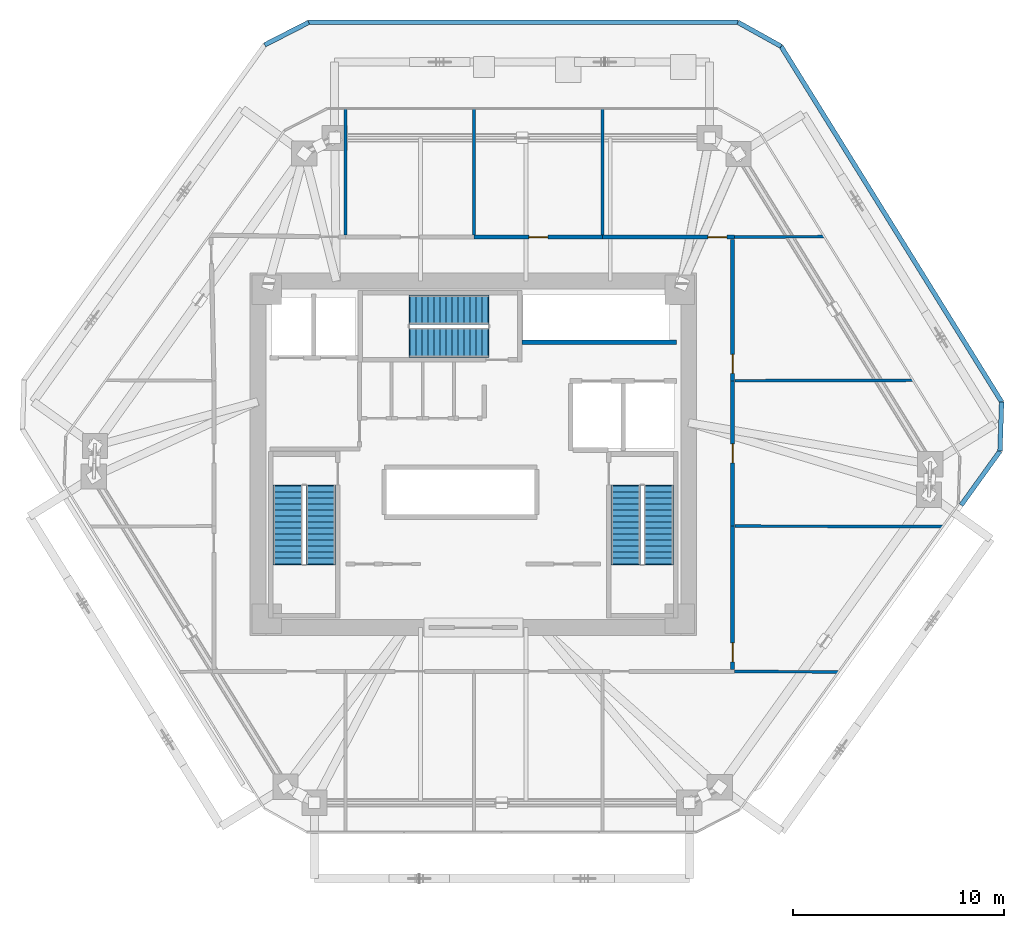
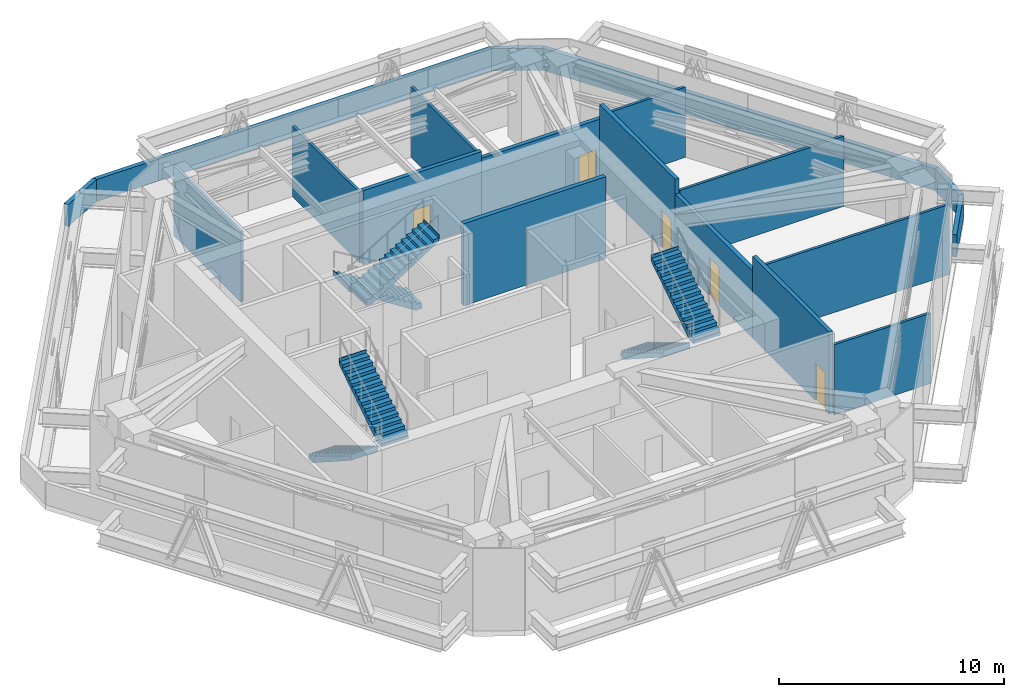
# One storey, part 10 of 11: 19 walls, 6 stair flights, 5 doors, 5 openings, 3 elements without a shape of their own.
"""IFC4 building model written with IfcOpenShell, lengths in metres."""

from ifc_helpers import new_model, si_unit, direction, frame, frame_2d, origin, place, context, subcontext, project, spatial, polyline, rectangle, outline, extrude, source, transform, mapped, material, layer, layer_set, type_object, type_shapes, element, fill, aggregate, save


model = new_model("IFC4")

# Units and contexts
model_context = context("Model", 3, precision=1e-05, world=origin(), true_north=direction((0.0, 1.0)))
body_context = subcontext(model_context, "Body", "Model", "MODEL_VIEW")
ifc_project = project(units=[si_unit("LENGTHUNIT", "METRE"), si_unit("AREAUNIT", "SQUARE_METRE"), si_unit("VOLUMEUNIT", "CUBIC_METRE"), si_unit("PLANEANGLEUNIT", "RADIAN"), si_unit("MASSUNIT", "GRAM", prefix="KILO")], contexts=[model_context])

# Site, building, storey
site_placement = place(None, origin())
site = spatial("IfcSite", under=ifc_project, at=site_placement, CompositionType="ELEMENT")
building_placement = place(site_placement, origin())
building = spatial("IfcBuilding", under=site, at=building_placement, Name="Durnholm Broadcast Tower", CompositionType="ELEMENT")
storey_placement = place(building_placement, frame((0.0, 0.0, 150.300048828125)))
storey = spatial("IfcBuildingStorey", under=building, at=storey_placement, Name="L41", CompositionType="ELEMENT", Elevation=150.300048828125)

# Wall, opening, door
ifc_material_1 = material(Name="Fire-Rated Gypsum Shaftwall", Category="concrete")
ifc_layer_1 = layer(ifc_material_1, 0.199951171875)
ifc_layer_set_1 = layer_set([ifc_layer_1], Name="Fire-Rated Gypsum Shaftwall")
wall_type_1 = type_object("IfcWallType", Name="WALL-LOB-200", PredefinedType="SOLIDWALL", material=ifc_layer_set_1)
wall_1_placement = place(storey_placement, frame((6.139892578125, 10.31005859375, 0.0), z_axis=(0.0, 0.0, 1.0), x_axis=(-1.0, 0.0, 0.0)))
wall_1 = element("IfcWall", 1, at=wall_1_placement, inside=storey, type_object=wall_type_1, Name="L41 Mechanical Plant Room - Condenser Water Pump Station corridor partition", PredefinedType="SOLIDWALL", context=body_context, shape_type="SweptSolid", body=[
    extrude(rectangle(XDim=6.099853515625, YDim=0.199951171875, at=frame_2d((3.0498046875, 0.0))), origin(), (0.0, 0.0, 1.0), 4.0283203125),
])
opening_1_placement = place(wall_1_placement, frame((2.60009765625, 0.0, 0.0)))
opening_1 = element("IfcOpeningElement", 2, at=opening_1_placement, cuts=wall_1, Name="Opening DC-60L", PredefinedType="OPENING", context=body_context, shape_type="SweptSolid", body=[
    extrude(rectangle(XDim=0.89990234375, YDim=2.050048828125, at=frame_2d((0.449951171875, 1.02490234375))), frame((0.0, 0.10986328125, 0.0), z_axis=(0.0, -1.0, 0.0), x_axis=(1.0, 0.0, 0.0)), (0.0, 0.0, 1.0), 0.219970703125),
])
ifc_material_2 = material(Name="Fire-Rated Core Service Door", Category="steel")
ifc_layer_2 = layer(ifc_material_2, 0.050048828125)
ifc_layer_set_2 = layer_set([ifc_layer_2], Name="Fire-Rated Core Service Door")
door_type_1 = type_object("IfcDoorType", Name="DOOR-CORE-FD60-L", OperationType="NOTDEFINED", PredefinedType="DOOR", material=ifc_layer_set_2)
shared_shape_1 = source(origin(), body_context, "Body", "SweptSolid", [
    extrude(rectangle(XDim=0.89990234375, YDim=2.050048828125, at=frame_2d((0.449951171875, 1.02490234375))), frame((0.0, 0.02490234375, 0.0), z_axis=(0.0, -1.0, 0.0), x_axis=(1.0, 0.0, 0.0)), (0.0, 0.0, 1.0), 0.050048828125),
])
type_shapes(door_type_1, [shared_shape_1])
door_1_placement = place(opening_1_placement, origin())
door_1 = element("IfcDoor", 3, at=door_1_placement, inside=storey, type_object=door_type_1, Name="L41 Mechanical Plant Room - Condenser Water Pump Station entrance door", OperationType="SINGLE_SWING_LEFT", OverallHeight=2.050048828125, OverallWidth=0.89990234375, PredefinedType="DOOR", context=body_context, shape_type="MappedRepresentation", body=[
    mapped(shared_shape_1, transform((0.0, 0.0, 0.0), x_axis=(1.0, 0.0, 0.0), y_axis=(0.0, 1.0, 0.0), z_axis=(0.0, 0.0, 1.0), scale=1.0)),
])
fill(opening_1, door_1)

wall_2_placement = place(storey_placement, frame((12.389892578125, 10.31005859375, 0.0), z_axis=(0.0, 0.0, 1.0), x_axis=(-1.0, 0.0, 0.0)))
wall_2 = element("IfcWall", 4, at=wall_2_placement, inside=storey, type_object=wall_type_1, Name="L41 Mechanical Plant Room - Hydronic Heating Boiler corridor partition", PredefinedType="SOLIDWALL", context=body_context, shape_type="SweptSolid", body=[
    extrude(rectangle(XDim=6.25, YDim=0.199951171875, at=frame_2d((3.125, 0.0))), origin(), (0.0, 0.0, 1.0), 3.661865234375),
])
opening_2_placement = place(wall_2_placement, frame((0.35009765625, 0.0, 0.0)))
opening_2 = element("IfcOpeningElement", 5, at=opening_2_placement, cuts=wall_2, Name="Opening DC-60R", PredefinedType="OPENING", context=body_context, shape_type="SweptSolid", body=[
    extrude(rectangle(XDim=0.89990234375, YDim=2.050048828125, at=frame_2d((0.449951171875, 1.02490234375))), frame((0.0, 0.10986328125, 0.0), z_axis=(0.0, -1.0, 0.0), x_axis=(1.0, 0.0, 0.0)), (0.0, 0.0, 1.0), 0.219970703125),
])
ifc_layer_3 = layer(ifc_material_2, 0.050048828125)
ifc_layer_set_3 = layer_set([ifc_layer_3], Name="Fire-Rated Core Service Door")
door_type_2 = type_object("IfcDoorType", Name="DOOR-CORE-FD60-R", OperationType="NOTDEFINED", PredefinedType="DOOR", material=ifc_layer_set_3)
shared_shape_2 = source(origin(), body_context, "Body", "SweptSolid", [
    extrude(rectangle(XDim=0.89990234375, YDim=2.050048828125, at=frame_2d((0.449951171875, 1.02490234375))), frame((0.0, 0.02490234375, 0.0), z_axis=(0.0, -1.0, 0.0), x_axis=(1.0, 0.0, 0.0)), (0.0, 0.0, 1.0), 0.050048828125),
])
type_shapes(door_type_2, [shared_shape_2])
door_2_placement = place(opening_2_placement, origin())
door_2 = element("IfcDoor", 6, at=door_2_placement, inside=storey, type_object=door_type_2, Name="L41 Mechanical Plant Room - Hydronic Heating Boiler entrance door", OperationType="SINGLE_SWING_RIGHT", OverallHeight=2.050048828125, OverallWidth=0.89990234375, PredefinedType="DOOR", context=body_context, shape_type="MappedRepresentation", body=[
    mapped(shared_shape_2, transform((0.0, 0.0, 0.0), x_axis=(1.0, 0.0, 0.0), y_axis=(0.0, 1.0, 0.0), z_axis=(0.0, 0.0, 1.0), scale=1.0)),
])
fill(opening_2, door_2)

wall_3_placement = place(storey_placement, frame((12.31005859375, -10.2060546875, 0.0), z_axis=(0.0, 0.0, 1.0), x_axis=(0.0, 1.0, 0.0)))
wall_3 = element("IfcWall", 7, at=wall_3_placement, inside=storey, type_object=wall_type_1, Name="L41 Mechanical Plant Room - Electrical Switchgear East corridor partition", PredefinedType="SOLIDWALL", context=body_context, shape_type="SweptSolid", body=[
    extrude(rectangle(XDim=6.796142578125, YDim=0.199951171875, at=frame_2d((3.39794921875, 0.0))), origin(), (0.0, 0.0, 1.0), 4.46484375),
])
opening_3_placement = place(wall_3_placement, frame((0.35009765625, 0.0, 0.0)))
opening_3 = element("IfcOpeningElement", 8, at=opening_3_placement, cuts=wall_3, Name="Opening DC-60L", PredefinedType="OPENING", context=body_context, shape_type="SweptSolid", body=[
    extrude(rectangle(XDim=0.89990234375, YDim=2.050048828125, at=frame_2d((0.449951171875, 1.02490234375))), frame((0.0, 0.10986328125, 0.0), z_axis=(0.0, -1.0, 0.0), x_axis=(1.0, 0.0, 0.0)), (0.0, 0.0, 1.0), 0.219970703125),
])
door_3_placement = place(opening_3_placement, origin())
door_3 = element("IfcDoor", 9, at=door_3_placement, inside=storey, type_object=door_type_1, Name="L41 Mechanical Plant Room - Electrical Switchgear East entrance door", OperationType="SINGLE_SWING_LEFT", OverallHeight=2.050048828125, OverallWidth=0.89990234375, PredefinedType="DOOR", context=body_context, shape_type="MappedRepresentation", body=[
    mapped(shared_shape_1, transform((0.0, 0.0, 0.0), x_axis=(1.0, 0.0, 0.0), y_axis=(0.0, 1.0, 0.0), z_axis=(0.0, 0.0, 1.0), scale=1.0)),
])
fill(opening_3, door_3)

wall_4_placement = place(storey_placement, frame((12.31005859375, -3.409912109375, 0.0), z_axis=(0.0, 0.0, 1.0), x_axis=(0.0, 1.0, 0.0)))
wall_4 = element("IfcWall", 10, at=wall_4_placement, inside=storey, type_object=wall_type_1, Name="L41 Mechanical Plant Room - Medium Voltage Transformer corridor partition", PredefinedType="SOLIDWALL", context=body_context, shape_type="SweptSolid", body=[
    extrude(rectangle(XDim=6.89990234375, YDim=0.199951171875, at=frame_2d((3.449951171875, 0.0))), origin(), (0.0, 0.0, 1.0), 3.661865234375),
])
opening_4_placement = place(wall_4_placement, frame((3.0, 0.0, 0.0)))
opening_4 = element("IfcOpeningElement", 11, at=opening_4_placement, cuts=wall_4, Name="Opening DC-60R", PredefinedType="OPENING", context=body_context, shape_type="SweptSolid", body=[
    extrude(rectangle(XDim=0.89990234375, YDim=2.050048828125, at=frame_2d((0.449951171875, 1.02490234375))), frame((0.0, 0.10986328125, 0.0), z_axis=(0.0, -1.0, 0.0), x_axis=(1.0, 0.0, 0.0)), (0.0, 0.0, 1.0), 0.219970703125),
])
door_4_placement = place(opening_4_placement, origin())
door_4 = element("IfcDoor", 12, at=door_4_placement, inside=storey, type_object=door_type_2, Name="L41 Mechanical Plant Room - Medium Voltage Transformer entrance door", OperationType="SINGLE_SWING_RIGHT", OverallHeight=2.050048828125, OverallWidth=0.89990234375, PredefinedType="DOOR", context=body_context, shape_type="MappedRepresentation", body=[
    mapped(shared_shape_2, transform((0.0, 0.0, 0.0), x_axis=(1.0, 0.0, 0.0), y_axis=(0.0, 1.0, 0.0), z_axis=(0.0, 0.0, 1.0), scale=1.0)),
])
fill(opening_4, door_4)

wall_5_placement = place(storey_placement, frame((12.31005859375, 3.489990234375, 0.0), z_axis=(0.0, 0.0, 1.0), x_axis=(0.0, 1.0, 0.0)))
wall_5 = element("IfcWall", 13, at=wall_5_placement, inside=storey, type_object=wall_type_1, Name="L41 Mechanical Plant Room - Emergency Smoke Exhaust Fan corridor partition", PredefinedType="SOLIDWALL", context=body_context, shape_type="SweptSolid", body=[
    extrude(rectangle(XDim=6.716064453125, YDim=0.199951171875, at=frame_2d((3.35791015625, 0.0))), origin(), (0.0, 0.0, 1.0), 4.46484375),
])
opening_5_placement = place(wall_5_placement, frame((0.35009765625, 0.0, 0.0)))
opening_5 = element("IfcOpeningElement", 14, at=opening_5_placement, cuts=wall_5, Name="Opening DC-60L", PredefinedType="OPENING", context=body_context, shape_type="SweptSolid", body=[
    extrude(rectangle(XDim=0.89990234375, YDim=2.050048828125, at=frame_2d((0.449951171875, 1.02490234375))), frame((0.0, 0.10986328125, 0.0), z_axis=(0.0, -1.0, 0.0), x_axis=(1.0, 0.0, 0.0)), (0.0, 0.0, 1.0), 0.219970703125),
])
door_5_placement = place(opening_5_placement, origin())
door_5 = element("IfcDoor", 15, at=door_5_placement, inside=storey, type_object=door_type_1, Name="L41 Mechanical Plant Room - Emergency Smoke Exhaust Fan entrance door", OperationType="SINGLE_SWING_LEFT", OverallHeight=2.050048828125, OverallWidth=0.89990234375, PredefinedType="DOOR", context=body_context, shape_type="MappedRepresentation", body=[
    mapped(shared_shape_1, transform((0.0, 0.0, 0.0), x_axis=(1.0, 0.0, 0.0), y_axis=(0.0, 1.0, 0.0), z_axis=(0.0, 0.0, 1.0), scale=1.0)),
])
fill(opening_5, door_5)

# Walls
ifc_material_3 = material(Name="Precast Concrete C40/50", Category="concrete")
ifc_layer_4 = layer(ifc_material_3, 0.219970703125)
ifc_layer_set_4 = layer_set([ifc_layer_4], Name="Precast Concrete C40/50")
wall_type_2 = type_object("IfcWallType", Name="WALL-PAR-220", PredefinedType="PARAPET", material=ifc_layer_set_4)
wall_6_placement = place(storey_placement, frame((-9.89794921875, 19.433837890625, 0.0), z_axis=(0.0, 0.0, 1.0), x_axis=(0.889803383422, 0.456344101365, 0.0)))
element("IfcWall", 16, at=wall_6_placement, inside=storey, type_object=wall_type_2, Name="L41 setback roof perimeter parapet 04", PredefinedType="PARAPET", context=body_context, shape_type="SweptSolid", body=[
    extrude(rectangle(XDim=2.346923828125, YDim=0.219970703125, at=frame_2d((1.17333984375, 0.0))), origin(), (0.0, 0.0, 1.0), 1.199951171875),
])
wall_7_placement = place(storey_placement, frame((-7.8095703125, 20.5048828125, 0.0), z_axis=(0.0, 0.0, 1.0), x_axis=(1.0, 0.0, 0.0)))
element("IfcWall", 17, at=wall_7_placement, inside=storey, type_object=wall_type_2, Name="L41 setback roof perimeter parapet 05", PredefinedType="PARAPET", context=body_context, shape_type="SweptSolid", body=[
    extrude(rectangle(XDim=20.374267578125, YDim=0.219970703125, at=frame_2d((10.18701171875, 0.0))), origin(), (0.0, 0.0, 1.0), 1.199951171875),
])
wall_8_placement = place(storey_placement, frame((12.564697265625, 20.5048828125, 0.0), z_axis=(0.0, 0.0, 1.0), x_axis=(0.873842519021, -0.486209061979, 0.0)))
element("IfcWall", 18, at=wall_8_placement, inside=storey, type_object=wall_type_2, Name="L41 setback roof perimeter parapet 06", PredefinedType="PARAPET", context=body_context, shape_type="SweptSolid", body=[
    extrude(rectangle(XDim=2.343017578125, YDim=0.219970703125, at=frame_2d((1.17138671875, 0.0))), origin(), (0.0, 0.0, 1.0), 1.199951171875),
])
wall_9_placement = place(storey_placement, frame((14.612060546875, 19.36572265625, 0.0), z_axis=(0.0, 0.0, 1.0), x_axis=(0.527101579679, -0.849802285652, 0.0)))
element("IfcWall", 19, at=wall_9_placement, inside=storey, type_object=wall_type_2, Name="L41 setback roof perimeter parapet 07", PredefinedType="PARAPET", context=body_context, shape_type="SweptSolid", body=[
    extrude(rectangle(XDim=19.86572265625, YDim=0.219970703125, at=frame_2d((9.932861328125, 0.0))), origin(), (0.0, 0.0, 1.0), 1.199951171875),
])
wall_10_placement = place(storey_placement, frame((25.083251953125, 2.48388671875, 0.0), z_axis=(0.0, 0.0, 1.0), x_axis=(-0.033903647197, -0.999425106102, 0.0)))
element("IfcWall", 20, at=wall_10_placement, inside=storey, type_object=wall_type_2, Name="L41 setback roof perimeter parapet 08", PredefinedType="PARAPET", context=body_context, shape_type="SweptSolid", body=[
    extrude(rectangle(XDim=2.3330078125, YDim=0.219970703125, at=frame_2d((1.16650390625, 0.0))), origin(), (0.0, 0.0, 1.0), 1.199951171875),
])
wall_11_placement = place(storey_placement, frame((25.004150390625, 0.152099609375, 0.0), z_axis=(0.0, 0.0, 1.0), x_axis=(-0.583443386549, -0.812153812213, 0.0)))
element("IfcWall", 21, at=wall_11_placement, inside=storey, type_object=wall_type_2, Name="L41 setback roof perimeter parapet 09", PredefinedType="PARAPET", context=body_context, shape_type="SweptSolid", body=[
    extrude(rectangle(XDim=3.15966796875, YDim=0.219970703125, at=frame_2d((1.579833984375, 0.0))), origin(), (0.0, 0.0, 1.0), 1.199951171875),
])
ifc_material_4 = material(Name="Gypsum Metal Stud Partition", Category="concrete")
ifc_layer_5 = layer(ifc_material_4, 0.135009765625)
ifc_layer_set_5 = layer_set([ifc_layer_5], Name="Gypsum Metal Stud Partition")
wall_type_3 = type_object("IfcWallType", Name="WALL-PART-135", PredefinedType="PARTITIONING", material=ifc_layer_set_5)
for number, where, z_axis, x_axis, name in (
    (22, (-6.06005859375, 16.41796875, 0.0), (0.0, 0.0, 1.0), (0.0, -1.0, 0.0), "L41 room dividing partition 8.9"),
    (23, (0.0400390625, 16.41796875, 0.0), (0.0, 0.0, 1.0), (0.0, -1.0, 0.0), "L41 room dividing partition 9.10"),
    (24, (6.139892578125, 16.41796875, 0.0), (0.0, 0.0, 1.0), (0.0, -1.0, 0.0), "L41 room dividing partition 10.11"),
):
    element("IfcWall", number, at=place(storey_placement, frame(where, z_axis=z_axis, x_axis=x_axis)), inside=storey, type_object=wall_type_3, Name=name, PredefinedType="PARTITIONING", context=body_context, shape_type="SweptSolid", body=[
        extrude(rectangle(XDim=6.00390625, YDim=0.135009765625, at=frame_2d((3.001953125, 0.0))), origin(), (0.0, 0.0, 1.0), 3.81884765625),
    ])
wall_12_placement = place(storey_placement, frame((16.65966796875, 10.3310546875, 0.0), z_axis=(0.0, 0.0, 1.0), x_axis=(-0.999988189448, -0.004860140437, 0.0)))
element("IfcWall", 25, at=wall_12_placement, inside=storey, type_object=wall_type_3, Name="L41 room dividing partition 11.18", PredefinedType="PARTITIONING", context=body_context, shape_type="SweptSolid", body=[
    extrude(rectangle(XDim=4.269775390625, YDim=0.135009765625, at=frame_2d((2.134765625, 0.0))), origin(), (0.0, 0.0, 1.0), 3.81884765625),
])
wall_13_placement = place(storey_placement, frame((12.389892578125, -10.310302734375, 0.0), z_axis=(0.0, 0.0, 1.0), x_axis=(0.999989234714, -0.004640092214, 0.0)))
element("IfcWall", 26, at=wall_13_placement, inside=storey, type_object=wall_type_3, Name="L41 room dividing partition 15.16", PredefinedType="PARTITIONING", context=body_context, shape_type="SweptSolid", body=[
    extrude(rectangle(XDim=4.94580078125, YDim=0.135009765625, at=frame_2d((2.472900390625, 0.0))), origin(), (0.0, 0.0, 1.0), 3.81884765625),
])
wall_14_placement = place(storey_placement, frame((12.4140625, -3.41015625, 0.0), z_axis=(0.0, 0.0, 1.0), x_axis=(0.999997234449, -0.002351827927, 0.0)))
element("IfcWall", 27, at=wall_14_placement, inside=storey, type_object=wall_type_3, Name="L41 room dividing partition 16.17", PredefinedType="PARTITIONING", context=body_context, shape_type="SweptSolid", body=[
    extrude(rectangle(XDim=9.86181640625, YDim=0.135009765625, at=frame_2d((4.930908203125, 0.0))), origin(), (0.0, 0.0, 1.0), 3.81884765625),
])
wall_15_placement = place(storey_placement, frame((12.4140625, 3.490234375, 0.0), z_axis=(0.0, 0.0, 1.0), x_axis=(0.999996991679, 0.002452882703, 0.0)))
element("IfcWall", 28, at=wall_15_placement, inside=storey, type_object=wall_type_3, Name="L41 room dividing partition 17.18", PredefinedType="PARTITIONING", context=body_context, shape_type="SweptSolid", body=[
    extrude(rectangle(XDim=8.460205078125, YDim=0.135009765625, at=frame_2d((4.22998046875, 0.0))), origin(), (0.0, 0.0, 1.0), 3.81884765625),
])
ifc_material_5 = material(Name="Concrete Blockwork C30/37", Category="masonry")
ifc_layer_6 = layer(ifc_material_5, 0.219970703125)
ifc_layer_set_6 = layer_set([ifc_layer_6], Name="Concrete Blockwork C30/37")
wall_type_4 = type_object("IfcWallType", Name="WALL-SHAFT-220", PredefinedType="SOLIDWALL", material=ifc_layer_set_6)
wall_16_placement = place(storey_placement, frame((2.324951171875, 5.320068359375, 0.0), z_axis=(0.0, 0.0, 1.0), x_axis=(1.0, 0.0, 0.0)))
element("IfcWall", 29, at=wall_16_placement, inside=storey, type_object=wall_type_4, Name="L41 high-rise bank P3 south front wall", PredefinedType="SOLIDWALL", context=body_context, shape_type="SweptSolid", body=[
    extrude(rectangle(XDim=7.324951171875, YDim=0.219970703125, at=frame_2d((3.66259765625, 0.0))), origin(), (0.0, 0.0, 1.0), 4.46484375),
])

# Stair, stair flights
ifc_material_6 = material(Name="Concrete C50/60", Category="concrete")
stair_type = type_object("IfcStairType", Name="STAIR-DL-28R1714", PredefinedType="HALF_TURN_STAIR", material=ifc_material_6)
stair_1_placement = place(storey_placement, origin())
stair_1 = element("IfcStair", 30, at=stair_1_placement, inside=storey, type_object=stair_type, Name="L41 ST-1", PredefinedType="HALF_TURN_STAIR")
stair_flight_type = type_object("IfcStairFlightType", Name="FLIGHT-DL-28R1714", PredefinedType="STRAIGHT", material=ifc_material_6)
stair_flight_1_placement = place(storey_placement, frame((-8.800048828125, -1.5, 0.0), z_axis=(0.0, 0.0, 1.0), x_axis=(0.0, -1.0, 0.0)))
stair_flight_1 = element("IfcStairFlight", 31, at=stair_flight_1_placement, type_object=stair_flight_type, Name="ST-1 flight 1", NumberOfRisers=14, NumberOfTreads=13, PredefinedType="STRAIGHT", RiserHeight=0.171428571, TreadLength=0.285, context=body_context, shape_type="SweptSolid", body=[
    extrude(outline(polyline([(-0.0400390625, -0.14990234375), (-0.0400390625, 0.0), (0.0, 0.0), (0.0, 0.17138671875), (0.284912109375, 0.17138671875), (0.284912109375, 0.3427734375), (0.570068359375, 0.3427734375), (0.570068359375, 0.514404296875), (0.85498046875, 0.514404296875), (0.85498046875, 0.685791015625), (1.139892578125, 0.685791015625), (1.139892578125, 0.857177734375), (1.425048828125, 0.857177734375), (1.425048828125, 1.028564453125), (1.7099609375, 1.028564453125), (1.7099609375, 1.199951171875), (1.9951171875, 1.199951171875), (1.9951171875, 1.371337890625), (2.280029296875, 1.371337890625), (2.280029296875, 1.54296875), (2.56494140625, 1.54296875), (2.56494140625, 1.71435546875), (2.85009765625, 1.71435546875), (2.85009765625, 1.8857421875), (3.135009765625, 1.8857421875), (3.135009765625, 2.05712890625), (3.419921875, 2.05712890625), (3.419921875, 2.228515625), (3.705078125, 2.228515625), (3.705078125, 2.39990234375), (3.7451171875, 2.39990234375), (3.7451171875, 2.25), (3.705078125, 2.0537109375), (0.290771484375, -0.14990234375), (-0.0400390625, -0.14990234375)])), frame((0.0, 0.699951171875, 0.0), z_axis=(0.0, -1.0, 0.0), x_axis=(1.0, 0.0, 0.0)), (0.0, 0.0, 1.0), 1.39990234375),
])
stair_flight_2_placement = place(storey_placement, frame((-7.239990234375, -5.205078125, 2.39990234375), z_axis=(0.0, 0.0, 1.0), x_axis=(0.0, 1.0, 0.0)))
stair_flight_2 = element("IfcStairFlight", 32, at=stair_flight_2_placement, type_object=stair_flight_type, Name="ST-1 flight 2", NumberOfRisers=14, NumberOfTreads=13, PredefinedType="STRAIGHT", RiserHeight=0.171428571, TreadLength=0.285, context=body_context, shape_type="SweptSolid", body=[
    extrude(outline(polyline([(-0.0400390625, -0.14990234375), (-0.0400390625, 0.0), (0.0, 0.0), (0.0, 0.17138671875), (0.284912109375, 0.17138671875), (0.284912109375, 0.3427734375), (0.570068359375, 0.3427734375), (0.570068359375, 0.514404296875), (0.85498046875, 0.514404296875), (0.85498046875, 0.685791015625), (1.139892578125, 0.685791015625), (1.139892578125, 0.857177734375), (1.425048828125, 0.857177734375), (1.425048828125, 1.028564453125), (1.7099609375, 1.028564453125), (1.7099609375, 1.199951171875), (1.9951171875, 1.199951171875), (1.9951171875, 1.371337890625), (2.280029296875, 1.371337890625), (2.280029296875, 1.54296875), (2.56494140625, 1.54296875), (2.56494140625, 1.71435546875), (2.85009765625, 1.71435546875), (2.85009765625, 1.8857421875), (3.135009765625, 1.8857421875), (3.135009765625, 2.05712890625), (3.419921875, 2.05712890625), (3.419921875, 2.228515625), (3.705078125, 2.228515625), (3.705078125, 2.39990234375), (3.7451171875, 2.39990234375), (3.7451171875, 2.25), (3.705078125, 2.0537109375), (0.290771484375, -0.14990234375), (-0.0400390625, -0.14990234375)])), frame((0.0, 0.699951171875, 0.0), z_axis=(0.0, -1.0, 0.0), x_axis=(1.0, 0.0, 0.0)), (0.0, 0.0, 1.0), 1.39990234375),
])
aggregate(stair_1, [stair_flight_1, stair_flight_2])

stair_2_placement = place(storey_placement, origin())
stair_2 = element("IfcStair", 33, at=stair_2_placement, inside=storey, type_object=stair_type, Name="L41 ST-2", PredefinedType="HALF_TURN_STAIR")
stair_flight_3_placement = place(storey_placement, frame((7.239990234375, -1.5, 0.0), z_axis=(0.0, 0.0, 1.0), x_axis=(0.0, -1.0, 0.0)))
stair_flight_3 = element("IfcStairFlight", 34, at=stair_flight_3_placement, type_object=stair_flight_type, Name="ST-2 flight 1", NumberOfRisers=14, NumberOfTreads=13, PredefinedType="STRAIGHT", RiserHeight=0.171428571, TreadLength=0.285, context=body_context, shape_type="SweptSolid", body=[
    extrude(outline(polyline([(-0.0400390625, -0.14990234375), (-0.0400390625, 0.0), (0.0, 0.0), (0.0, 0.17138671875), (0.284912109375, 0.17138671875), (0.284912109375, 0.3427734375), (0.570068359375, 0.3427734375), (0.570068359375, 0.514404296875), (0.85498046875, 0.514404296875), (0.85498046875, 0.685791015625), (1.139892578125, 0.685791015625), (1.139892578125, 0.857177734375), (1.425048828125, 0.857177734375), (1.425048828125, 1.028564453125), (1.7099609375, 1.028564453125), (1.7099609375, 1.199951171875), (1.9951171875, 1.199951171875), (1.9951171875, 1.371337890625), (2.280029296875, 1.371337890625), (2.280029296875, 1.54296875), (2.56494140625, 1.54296875), (2.56494140625, 1.71435546875), (2.85009765625, 1.71435546875), (2.85009765625, 1.8857421875), (3.135009765625, 1.8857421875), (3.135009765625, 2.05712890625), (3.419921875, 2.05712890625), (3.419921875, 2.228515625), (3.705078125, 2.228515625), (3.705078125, 2.39990234375), (3.7451171875, 2.39990234375), (3.7451171875, 2.25), (3.705078125, 2.0537109375), (0.290771484375, -0.14990234375), (-0.0400390625, -0.14990234375)])), frame((0.0, 0.699951171875, 0.0), z_axis=(0.0, -1.0, 0.0), x_axis=(1.0, 0.0, 0.0)), (0.0, 0.0, 1.0), 1.39990234375),
])
stair_flight_4_placement = place(storey_placement, frame((8.800048828125, -5.205078125, 2.39990234375), z_axis=(0.0, 0.0, 1.0), x_axis=(0.0, 1.0, 0.0)))
stair_flight_4 = element("IfcStairFlight", 35, at=stair_flight_4_placement, type_object=stair_flight_type, Name="ST-2 flight 2", NumberOfRisers=14, NumberOfTreads=13, PredefinedType="STRAIGHT", RiserHeight=0.171428571, TreadLength=0.285, context=body_context, shape_type="SweptSolid", body=[
    extrude(outline(polyline([(-0.0400390625, -0.14990234375), (-0.0400390625, 0.0), (0.0, 0.0), (0.0, 0.17138671875), (0.284912109375, 0.17138671875), (0.284912109375, 0.3427734375), (0.570068359375, 0.3427734375), (0.570068359375, 0.514404296875), (0.85498046875, 0.514404296875), (0.85498046875, 0.685791015625), (1.139892578125, 0.685791015625), (1.139892578125, 0.857177734375), (1.425048828125, 0.857177734375), (1.425048828125, 1.028564453125), (1.7099609375, 1.028564453125), (1.7099609375, 1.199951171875), (1.9951171875, 1.199951171875), (1.9951171875, 1.371337890625), (2.280029296875, 1.371337890625), (2.280029296875, 1.54296875), (2.56494140625, 1.54296875), (2.56494140625, 1.71435546875), (2.85009765625, 1.71435546875), (2.85009765625, 1.8857421875), (3.135009765625, 1.8857421875), (3.135009765625, 2.05712890625), (3.419921875, 2.05712890625), (3.419921875, 2.228515625), (3.705078125, 2.228515625), (3.705078125, 2.39990234375), (3.7451171875, 2.39990234375), (3.7451171875, 2.25), (3.705078125, 2.0537109375), (0.290771484375, -0.14990234375), (-0.0400390625, -0.14990234375)])), frame((0.0, 0.699951171875, 0.0), z_axis=(0.0, -1.0, 0.0), x_axis=(1.0, 0.0, 0.0)), (0.0, 0.0, 1.0), 1.39990234375),
])
aggregate(stair_2, [stair_flight_3, stair_flight_4])

stair_3_placement = place(storey_placement, origin())
stair_3 = element("IfcStair", 36, at=stair_3_placement, inside=storey, type_object=stair_type, Name="L41 ST-3", PredefinedType="HALF_TURN_STAIR")
stair_flight_5_placement = place(storey_placement, frame((0.699951171875, 6.860107421875, 0.0), z_axis=(0.0, 0.0, 1.0), x_axis=(-1.0, 0.0, 0.0)))
stair_flight_5 = element("IfcStairFlight", 37, at=stair_flight_5_placement, type_object=stair_flight_type, Name="ST-3 flight 1", NumberOfRisers=14, NumberOfTreads=13, PredefinedType="STRAIGHT", RiserHeight=0.171428571, TreadLength=0.285, context=body_context, shape_type="SweptSolid", body=[
    extrude(outline(polyline([(-0.0400390625, -0.14990234375), (-0.0400390625, 0.0), (0.0, 0.0), (0.0, 0.17138671875), (0.284912109375, 0.17138671875), (0.284912109375, 0.3427734375), (0.570068359375, 0.3427734375), (0.570068359375, 0.514404296875), (0.85498046875, 0.514404296875), (0.85498046875, 0.685791015625), (1.139892578125, 0.685791015625), (1.139892578125, 0.857177734375), (1.425048828125, 0.857177734375), (1.425048828125, 1.028564453125), (1.7099609375, 1.028564453125), (1.7099609375, 1.199951171875), (1.9951171875, 1.199951171875), (1.9951171875, 1.371337890625), (2.280029296875, 1.371337890625), (2.280029296875, 1.54296875), (2.56494140625, 1.54296875), (2.56494140625, 1.71435546875), (2.85009765625, 1.71435546875), (2.85009765625, 1.8857421875), (3.135009765625, 1.8857421875), (3.135009765625, 2.05712890625), (3.419921875, 2.05712890625), (3.419921875, 2.228515625), (3.705078125, 2.228515625), (3.705078125, 2.39990234375), (3.7451171875, 2.39990234375), (3.7451171875, 2.25), (3.705078125, 2.0537109375), (0.290771484375, -0.14990234375), (-0.0400390625, -0.14990234375)])), frame((0.0, 0.699951171875, 0.0), z_axis=(0.0, -1.0, 0.0), x_axis=(1.0, 0.0, 0.0)), (0.0, 0.0, 1.0), 1.39990234375),
])
stair_flight_6_placement = place(storey_placement, frame((-3.0048828125, 5.300048828125, 2.39990234375), z_axis=(0.0, 0.0, 1.0), x_axis=(1.0, 0.0, 0.0)))
stair_flight_6 = element("IfcStairFlight", 38, at=stair_flight_6_placement, type_object=stair_flight_type, Name="ST-3 flight 2", NumberOfRisers=14, NumberOfTreads=13, PredefinedType="STRAIGHT", RiserHeight=0.171428571, TreadLength=0.285, context=body_context, shape_type="SweptSolid", body=[
    extrude(outline(polyline([(-0.0400390625, -0.14990234375), (-0.0400390625, 0.0), (0.0, 0.0), (0.0, 0.17138671875), (0.284912109375, 0.17138671875), (0.284912109375, 0.3427734375), (0.570068359375, 0.3427734375), (0.570068359375, 0.514404296875), (0.85498046875, 0.514404296875), (0.85498046875, 0.685791015625), (1.139892578125, 0.685791015625), (1.139892578125, 0.857177734375), (1.425048828125, 0.857177734375), (1.425048828125, 1.028564453125), (1.7099609375, 1.028564453125), (1.7099609375, 1.199951171875), (1.9951171875, 1.199951171875), (1.9951171875, 1.371337890625), (2.280029296875, 1.371337890625), (2.280029296875, 1.54296875), (2.56494140625, 1.54296875), (2.56494140625, 1.71435546875), (2.85009765625, 1.71435546875), (2.85009765625, 1.8857421875), (3.135009765625, 1.8857421875), (3.135009765625, 2.05712890625), (3.419921875, 2.05712890625), (3.419921875, 2.228515625), (3.705078125, 2.228515625), (3.705078125, 2.39990234375), (3.7451171875, 2.39990234375), (3.7451171875, 2.25), (3.705078125, 2.0537109375), (0.290771484375, -0.14990234375), (-0.0400390625, -0.14990234375)])), frame((0.0, 0.699951171875, 0.0), z_axis=(0.0, -1.0, 0.0), x_axis=(1.0, 0.0, 0.0)), (0.0, 0.0, 1.0), 1.39990234375),
])
aggregate(stair_3, [stair_flight_5, stair_flight_6])

save(model, "model.ifc")
